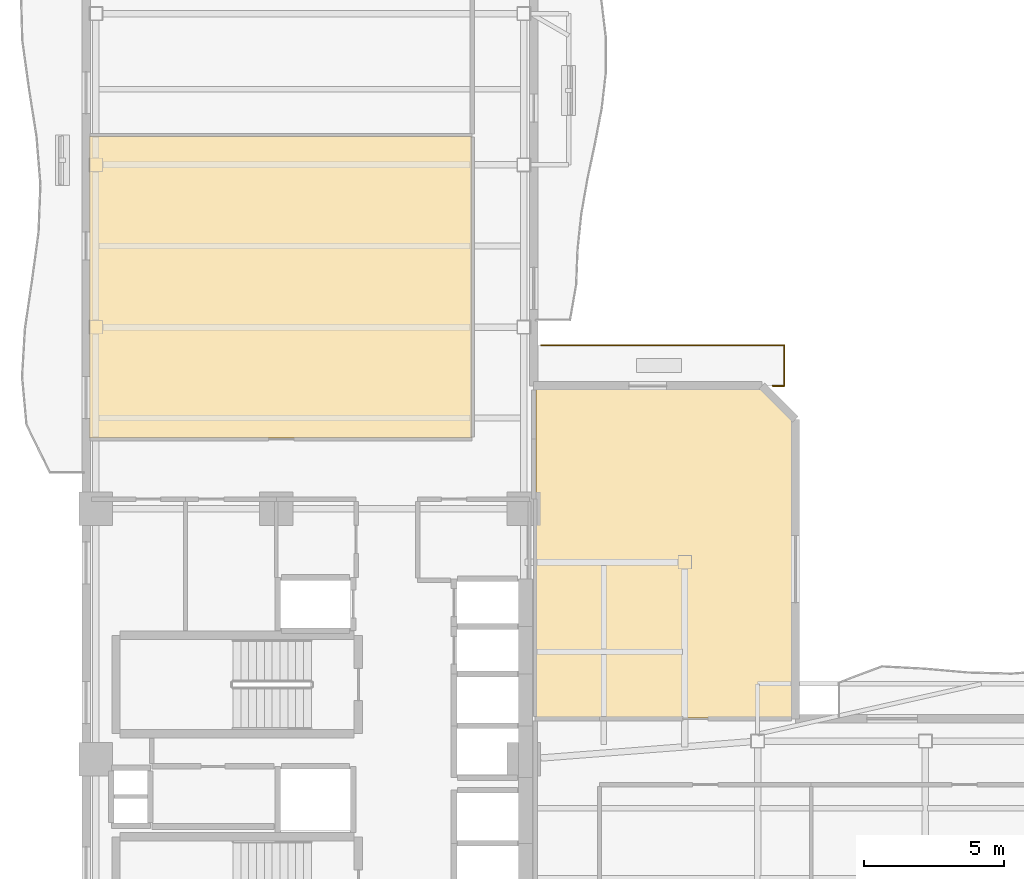
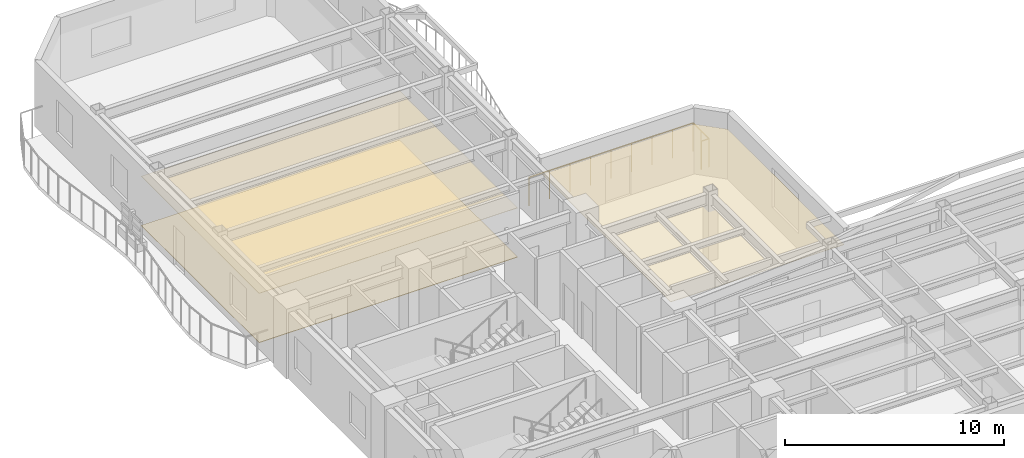
# One storey, part 8 of 10: 3 coverings, 3 railings.
"""IFC4 building model written with IfcOpenShell, lengths in metres."""

import ifcopenshell
import ifcopenshell.guid

model = None  # the IFC model being written
_history = None  # IfcOwnerHistory: only IFC2X3 demands one
_inside = {}  # id of a spatial element -> (the spatial element, [elements in it])
_under = {}  # id of a project, library or spatial element -> (it, [spatial elements below it])
_declared = {}  # id of a project -> (the project, [libraries it declares])
_typed = {}  # id of a type object -> (the type object, [elements of that type])
_made_of = {}  # id of a material, layer set ... -> (it, [elements and type objects made of it])


def new_model(schema):
    """Start an empty IFC model of exactly this schema.

    Asked for "IFC4X3", IfcOpenShell would pick the latest addendum, in which some entities
    have other attributes; the version numbers below select the first issue.
    IFC2X3 requires an IfcOwnerHistory on every rooted entity: one is made here for all.
    """
    global model, _history
    if schema == "IFC4X3":
        model = ifcopenshell.file(schema_version=(4, 3, 0, 0))
    else:
        model = ifcopenshell.file(schema=schema)
    _inside.clear()
    _under.clear()
    _declared.clear()
    _typed.clear()
    _made_of.clear()
    _history = None
    if model.schema == "IFC2X3":
        org = make("IfcOrganization", Name="unknown")
        user = make(
            "IfcPersonAndOrganization",
            ThePerson=make("IfcPerson", FamilyName="unknown"),
            TheOrganization=org,
        )
        app = make(
            "IfcApplication",
            ApplicationDeveloper=org,
            Version="unknown",
            ApplicationFullName="unknown",
            ApplicationIdentifier="unknown",
        )
        _history = make(
            "IfcOwnerHistory",
            OwningUser=user,
            OwningApplication=app,
            ChangeAction="ADDED",
            CreationDate=0,
        )
    return model


def make(cls, **values):
    """One entity of the class cls with the attributes given. An attribute that is None is left unset."""
    return model.create_entity(
        cls, **{name: value for name, value in values.items() if value is not None}
    )


def rooted(cls, **values):
    """An entity with a GlobalId (a new one), such as an element, a storey or a relation."""
    return make(cls, GlobalId=ifcopenshell.guid.new(), OwnerHistory=_history, **values)


def si_unit(unit_type, name, prefix=None):
    """IfcSIUnit, for example si_unit("LENGTHUNIT", "METRE", prefix="MILLI")."""
    return make("IfcSIUnit", UnitType=unit_type, Prefix=prefix, Name=name)


def assignment(units):
    """IfcUnitAssignment: the units of a project."""
    return None if units is None else make("IfcUnitAssignment", Units=units)


def point(xyz):
    """IfcCartesianPoint."""
    return None if xyz is None else make("IfcCartesianPoint", Coordinates=xyz)


def direction(xyz):
    """IfcDirection."""
    return None if xyz is None else make("IfcDirection", DirectionRatios=xyz)


def frame(location, z_axis=None, x_axis=None):
    """IfcAxis2Placement3D, a coordinate frame: its origin and axes. An axis left out is left unset."""
    return make(
        "IfcAxis2Placement3D",
        Location=point(location),
        Axis=direction(z_axis),
        RefDirection=direction(x_axis),
    )


def frame_2d(location, x_axis=None):
    """IfcAxis2Placement2D, a coordinate frame in the plane: its origin and x axis."""
    return make(
        "IfcAxis2Placement2D", Location=point(location), RefDirection=direction(x_axis)
    )


def origin():
    """The frame at (0, 0, 0) with its axes left unset."""
    return frame((0.0, 0.0, 0.0))


def origin_2d():
    """The frame at (0, 0) in the plane with its x axis left unset."""
    return frame_2d((0.0, 0.0))


def place(relative_to, where):
    """IfcLocalPlacement: puts the frame where relative to a parent placement (None: the world)."""
    return make(
        "IfcLocalPlacement", PlacementRelTo=relative_to, RelativePlacement=where
    )


def context(
    kind, dimensions, precision=None, world=None, true_north=None, identifier=None
):
    """IfcGeometricRepresentationContext, for example the 3D "Model" context."""
    return make(
        "IfcGeometricRepresentationContext",
        ContextIdentifier=identifier,
        ContextType=kind,
        CoordinateSpaceDimension=dimensions,
        Precision=precision,
        WorldCoordinateSystem=world,
        TrueNorth=true_north,
    )


def subcontext(parent, identifier, kind, view, scale=None):
    """IfcGeometricRepresentationSubContext, for example "Body" below "Model"."""
    return make(
        "IfcGeometricRepresentationSubContext",
        ContextIdentifier=identifier,
        ContextType=kind,
        ParentContext=parent,
        TargetScale=scale,
        TargetView=view,
    )


def project(units=None, contexts=None):
    """IfcProject with its units and contexts."""
    return rooted(
        "IfcProject",
        Name="project",
        RepresentationContexts=contexts,
        UnitsInContext=assignment(units),
    )


def spatial(cls, under=None, at=None, **own):
    """A site, building, storey or space (cls), placed at a placement, below another one or the project."""
    s = rooted(cls, ObjectPlacement=at, **own)
    if under is not None:
        _under.setdefault(under.id(), (under, []))[1].append(s)
    return s


def polyline(points):
    """IfcPolyline through the points."""
    return make("IfcPolyline", Points=[point(p) for p in points])


def profile(cls, at=None, kind="AREA", **sizes):
    """A parametric profile (cls). Its sizes go by their IFC names, for example OverallWidth=200.0."""
    return make(cls, ProfileType=kind, Position=at, **sizes)


def rectangle(**sizes):
    """IfcRectangleProfileDef."""
    return profile("IfcRectangleProfileDef", **sizes)


def outline(outer, holes=None, kind="AREA"):
    """IfcArbitraryClosedProfileDef: a profile drawn as a closed curve; with holes, ...WithVoids."""
    if holes is None:
        return make("IfcArbitraryClosedProfileDef", ProfileType=kind, OuterCurve=outer)
    return make(
        "IfcArbitraryProfileDefWithVoids",
        ProfileType=kind,
        OuterCurve=outer,
        InnerCurves=holes,
    )


def extrude(swept, where, along, depth):
    """IfcExtrudedAreaSolid: the profile swept, set in the frame where, extruded along a direction by depth."""
    return make(
        "IfcExtrudedAreaSolid",
        SweptArea=swept,
        Position=where,
        ExtrudedDirection=direction(along),
        Depth=depth,
    )


def shape(context_of_items, identifier, shape_type, items):
    """IfcShapeRepresentation: the items that make up one representation, for example the "Body"."""
    return make(
        "IfcShapeRepresentation",
        ContextOfItems=context_of_items,
        RepresentationIdentifier=identifier,
        RepresentationType=shape_type,
        Items=items,
    )


def material(Name=None, Category=None):
    """IfcMaterial."""
    return make("IfcMaterial", Name=Name, Category=Category)


def layer(
    of_material, thickness, ventilated=None, Name=None, Category=None, Priority=None
):
    """IfcMaterialLayer: one layer of a wall or slab, of a material (None: an air gap)."""
    return make(
        "IfcMaterialLayer",
        Material=of_material,
        LayerThickness=thickness,
        IsVentilated=ventilated,
        Name=Name,
        Category=Category,
        Priority=Priority,
    )


def layer_set(layers, Name=None):
    """IfcMaterialLayerSet."""
    return make("IfcMaterialLayerSet", MaterialLayers=layers, LayerSetName=Name)


def made_of(thing, what):
    """Note that an element or type object is made of a material, layer set ...; save() writes the relation."""
    if what is not None:
        _made_of.setdefault(what.id(), (what, []))[1].append(thing)
    return thing


def type_object(cls, material=None, **own):
    """A type object (cls), such as IfcWallType, which elements share."""
    return made_of(rooted(cls, **own), material)


def element(
    cls,
    number,
    at=None,
    inside=None,
    cuts=None,
    type_object=None,
    material=None,
    context=None,
    identifier="Body",
    shape_type=None,
    held_by="IfcProductDefinitionShape",
    body=None,
    shapes=None,
    **own,
):
    """One element of the class cls, such as IfcWall. Its Tag is "e" and its number.

    at: its placement. inside: the storey or other place that contains it. cuts: it is an
    opening in that element (IfcRelVoidsElement). A single representation is given by context,
    identifier, shape_type and body (its items); several are given by shapes. held_by: the class
    of the entity that holds the representations. save() writes the other relations.
    """
    e = rooted(cls, Tag="e%d" % number, ObjectPlacement=at, **own)
    if body is not None:
        shapes = [shape(context, identifier, shape_type, body)]
    if shapes is not None:
        e.Representation = make(held_by, Representations=shapes)
    if inside is not None:
        _inside.setdefault(inside.id(), (inside, []))[1].append(e)
    if cuts is not None:
        rooted(
            "IfcRelVoidsElement", RelatingBuildingElement=cuts, RelatedOpeningElement=e
        )
    if type_object is not None:
        _typed.setdefault(type_object.id(), (type_object, []))[1].append(e)
    return made_of(e, material)


def aggregate(whole, parts):
    """IfcRelAggregates: a whole, such as a stair, and the parts it consists of."""
    return rooted("IfcRelAggregates", RelatingObject=whole, RelatedObjects=parts)


def save(model, path):
    """Write the relations noted so far, then the file.

    IfcRelAggregates (storeys below a building ...), IfcRelContainedInSpatialStructure (elements
    in a storey), IfcRelDefinesByType, IfcRelAssociatesMaterial and IfcRelDeclares: one each for
    every whole, place, type object, material and project.
    """
    for whole, parts in _under.values():
        aggregate(whole, parts)
    for where, things in _inside.values():
        rooted(
            "IfcRelContainedInSpatialStructure",
            RelatedElements=things,
            RelatingStructure=where,
        )
    for kind, things in _typed.values():
        rooted("IfcRelDefinesByType", RelatedObjects=things, RelatingType=kind)
    for what, things in _made_of.values():
        rooted("IfcRelAssociatesMaterial", RelatedObjects=things, RelatingMaterial=what)
    for by, libraries in _declared.values():
        rooted("IfcRelDeclares", RelatingContext=by, RelatedDefinitions=libraries)
    model.write(path)


model = new_model("IFC4")

# Units and contexts
model_context = context("Model", 3, precision=1e-05, world=origin(), true_north=direction((0.0, 1.0)))
body_context = subcontext(model_context, "Body", "Model", "MODEL_VIEW")
ifc_project = project(units=[si_unit("LENGTHUNIT", "METRE"), si_unit("AREAUNIT", "SQUARE_METRE"), si_unit("VOLUMEUNIT", "CUBIC_METRE"), si_unit("PLANEANGLEUNIT", "RADIAN"), si_unit("MASSUNIT", "GRAM", prefix="KILO")], contexts=[model_context])

# Site, building, storey
site_placement = place(None, origin())
site = spatial("IfcSite", under=ifc_project, at=site_placement, CompositionType="ELEMENT")
building_placement = place(site_placement, origin())
building = spatial("IfcBuilding", under=site, at=building_placement, Name="Mawjaban Terraces University", CompositionType="ELEMENT")
storey_placement = place(building_placement, frame((0.0, 0.0, 122.89990234375)))
storey = spatial("IfcBuildingStorey", under=building, at=storey_placement, Name="L29", CompositionType="ELEMENT", Elevation=122.89990234375)

# Coverings
ifc_material_1 = material(Name="Acoustic mineral fibre ceiling tile", Category="masonry")
ifc_layer_1 = layer(ifc_material_1, 0.02001953125)
ifc_layer_set_1 = layer_set([ifc_layer_1], Name="Acoustic mineral fibre ceiling tile")
covering_type_1 = type_object("IfcCoveringType", Name="AcousticMineralCeiling_20", PredefinedType="CEILING", material=ifc_layer_set_1)
covering_1_placement = place(storey_placement, frame((0.0, 0.0, 2.75)))
element("IfcCovering", 1, at=covering_1_placement, inside=storey, type_object=covering_type_1, Name="L29 Seminar Room 10 Acoustic Ceiling", PredefinedType="CEILING", context=body_context, shape_type="SweptSolid", body=[
    extrude(outline(polyline([(22.114990234375, 36.818115234375), (22.114990234375, 26.030029296875), (35.77001953125, 26.030029296875), (35.77001953125, 36.818115234375), (22.114990234375, 36.818115234375)])), origin(), (0.0, 0.0, 1.0), 0.02001953125),
])
covering_2_placement = place(storey_placement, frame((0.0, 0.0, 2.75)))
element("IfcCovering", 2, at=covering_2_placement, inside=storey, type_object=covering_type_1, Name="L29 Terrace Collaborative Study Room Acoustic Ceiling", PredefinedType="CEILING", context=body_context, shape_type="SweptSolid", body=[
    extrude(outline(polyline([(47.236083984375, 16.030029296875), (47.236083984375, 26.653076171875), (46.10400390625, 27.784912109375), (38.080078125, 27.784912109375), (38.080078125, 16.030029296875), (47.236083984375, 16.030029296875)])), origin(), (0.0, 0.0, 1.0), 0.02001953125),
])

# Railings
ifc_material_2 = material(Name="Galvanised powder-coated steel S355", Category="steel")
railing_type = type_object("IfcRailingType", Name="BalconyBalustrade_1600", PredefinedType="BALUSTRADE", material=ifc_material_2)
railing_1_placement = place(storey_placement, frame((46.547119140625, 27.89990234375, 0.0)))
element("IfcRailing", 3, at=railing_1_placement, inside=storey, type_object=railing_type, Name="L29 Terrace Guardrail TER-L29-CLIMB.1", PredefinedType="BALUSTRADE", context=body_context, shape_type="SweptSolid", body=[
    extrude(rectangle(XDim=0.048095703125, YDim=0.048095703125, at=origin_2d()), frame((0.0, 0.0, 1.576171875), z_axis=(1.0, 0.0, 0.0), x_axis=(0.0, 1.0, 0.0)), (0.0, 0.0, 1.0), 0.40380859375),
    extrude(rectangle(XDim=0.0419921875, YDim=0.0419921875, at=origin_2d()), origin(), (0.0, 0.0, 1.0), 1.552001953125),
    extrude(rectangle(XDim=0.0419921875, YDim=0.0419921875, at=origin_2d()), frame((0.40380859375, 0.0, 0.0)), (0.0, 0.0, 1.0), 1.552001953125),
])
railing_2_placement = place(storey_placement, frame((46.950927734375, 27.89990234375, 0.0)))
element("IfcRailing", 4, at=railing_2_placement, inside=storey, type_object=railing_type, Name="L29 Terrace Guardrail TER-L29-CLIMB.2", PredefinedType="BALUSTRADE", context=body_context, shape_type="SweptSolid", body=[
    extrude(rectangle(XDim=0.048095703125, YDim=0.048095703125, at=origin_2d()), frame((0.0, 0.0, 1.576171875), z_axis=(0.0, 1.0, 0.0), x_axis=(-1.0, 0.0, 0.0)), (0.0, 0.0, 1.0), 1.4501953125),
    extrude(rectangle(XDim=0.0419921875, YDim=0.0419921875, at=origin_2d()), origin(), (0.0, 0.0, 1.0), 1.552001953125),
    extrude(rectangle(XDim=0.0419921875, YDim=0.0419921875, at=origin_2d()), frame((0.0, 0.72509765625, 0.0)), (0.0, 0.0, 1.0), 1.552001953125),
    extrude(rectangle(XDim=0.0419921875, YDim=0.0419921875, at=origin_2d()), frame((0.0, 1.4501953125, 0.0)), (0.0, 0.0, 1.0), 1.552001953125),
])
railing_3_placement = place(storey_placement, frame((46.950927734375, 29.35009765625, 0.0)))
element("IfcRailing", 5, at=railing_3_placement, inside=storey, type_object=railing_type, Name="L29 Terrace Guardrail TER-L29-CLIMB.3", PredefinedType="BALUSTRADE", context=body_context, shape_type="SweptSolid", body=[
    extrude(rectangle(XDim=0.048095703125, YDim=0.048095703125, at=origin_2d()), frame((0.0, 0.0, 1.576171875), z_axis=(-1.0, 0.0, 0.0), x_axis=(0.0, -1.0, 0.0)), (0.0, 0.0, 1.0), 8.6708984375),
    extrude(rectangle(XDim=0.0419921875, YDim=0.0419921875, at=origin_2d()), origin(), (0.0, 0.0, 1.0), 1.552001953125),
    extrude(rectangle(XDim=0.0419921875, YDim=0.0419921875, at=origin_2d()), frame((-1.083984375, 0.0, 0.0)), (0.0, 0.0, 1.0), 1.552001953125),
    extrude(rectangle(XDim=0.0419921875, YDim=0.0419921875, at=origin_2d()), frame((-2.167724609375, 0.0, 0.0)), (0.0, 0.0, 1.0), 1.552001953125),
    extrude(rectangle(XDim=0.0419921875, YDim=0.0419921875, at=origin_2d()), frame((-3.25146484375, 0.0, 0.0)), (0.0, 0.0, 1.0), 1.552001953125),
    extrude(rectangle(XDim=0.0419921875, YDim=0.0419921875, at=origin_2d()), frame((-4.33544921875, 0.0, 0.0)), (0.0, 0.0, 1.0), 1.552001953125),
    extrude(rectangle(XDim=0.0419921875, YDim=0.0419921875, at=origin_2d()), frame((-5.41943359375, 0.0, 0.0)), (0.0, 0.0, 1.0), 1.552001953125),
    extrude(rectangle(XDim=0.0419921875, YDim=0.0419921875, at=origin_2d()), frame((-6.503173828125, 0.0, 0.0)), (0.0, 0.0, 1.0), 1.552001953125),
    extrude(rectangle(XDim=0.0419921875, YDim=0.0419921875, at=origin_2d()), frame((-7.5869140625, 0.0, 0.0)), (0.0, 0.0, 1.0), 1.552001953125),
    extrude(rectangle(XDim=0.0419921875, YDim=0.0419921875, at=origin_2d()), frame((-8.6708984375, 0.0, 0.0)), (0.0, 0.0, 1.0), 1.552001953125),
])

# Covering
ifc_material_3 = material(Name="Polished Hijazi granite terrazzo flooring", Category="masonry")
ifc_layer_2 = layer(ifc_material_3, 0.02490234375)
ifc_layer_set_2 = layer_set([ifc_layer_2], Name="Polished Hijazi granite terrazzo flooring")
covering_type_2 = type_object("IfcCoveringType", Name="TerrazzoConcourseFlooring_25", PredefinedType="FLOORING", material=ifc_layer_set_2)
covering_3_placement = place(storey_placement, origin())
element("IfcCovering", 6, at=covering_3_placement, inside=storey, type_object=covering_type_2, Name="L29 Seminar Room 10 Terrazzo Flooring", PredefinedType="FLOORING", context=body_context, shape_type="SweptSolid", body=[
    extrude(outline(polyline([(22.114990234375, 36.818115234375), (22.114990234375, 26.030029296875), (35.77001953125, 26.030029296875), (35.77001953125, 36.818115234375), (22.114990234375, 36.818115234375)])), origin(), (0.0, 0.0, 1.0), 0.025146484375),
])

save(model, "model.ifc")
